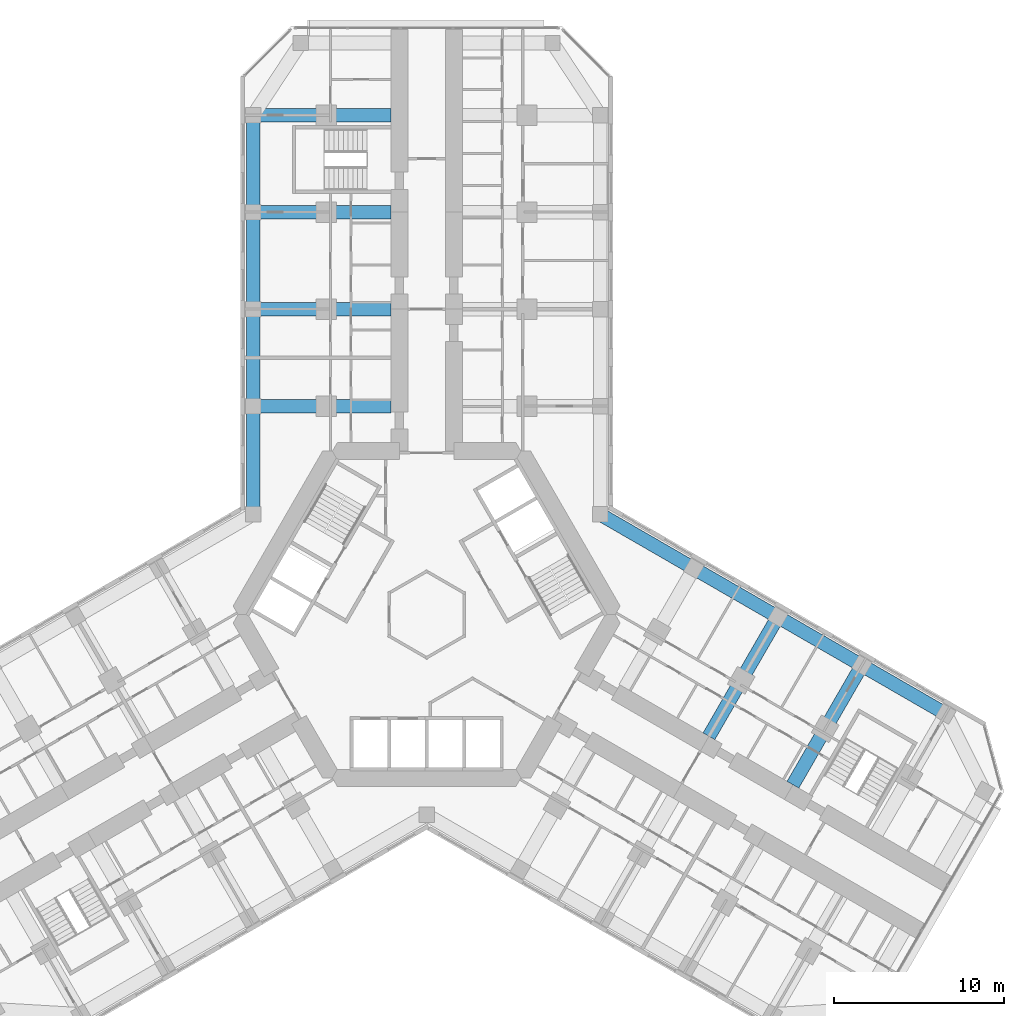
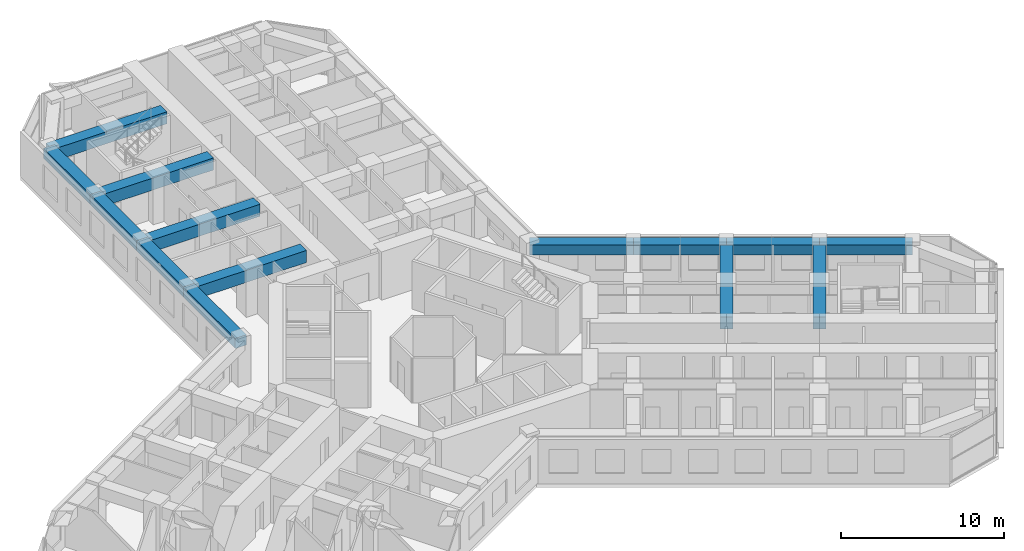
# One storey, part 6 of 21: 14 beams.
"""IFC4 building model written with IfcOpenShell, lengths in metres."""

import ifcopenshell
import ifcopenshell.guid

model = None  # the IFC model being written
_history = None  # IfcOwnerHistory: only IFC2X3 demands one
_inside = {}  # id of a spatial element -> (the spatial element, [elements in it])
_under = {}  # id of a project, library or spatial element -> (it, [spatial elements below it])
_declared = {}  # id of a project -> (the project, [libraries it declares])
_typed = {}  # id of a type object -> (the type object, [elements of that type])
_made_of = {}  # id of a material, layer set ... -> (it, [elements and type objects made of it])


def new_model(schema):
    """Start an empty IFC model of exactly this schema.

    Asked for "IFC4X3", IfcOpenShell would pick the latest addendum, in which some entities
    have other attributes; the version numbers below select the first issue.
    IFC2X3 requires an IfcOwnerHistory on every rooted entity: one is made here for all.
    """
    global model, _history
    if schema == "IFC4X3":
        model = ifcopenshell.file(schema_version=(4, 3, 0, 0))
    else:
        model = ifcopenshell.file(schema=schema)
    _inside.clear()
    _under.clear()
    _declared.clear()
    _typed.clear()
    _made_of.clear()
    _history = None
    if model.schema == "IFC2X3":
        org = make("IfcOrganization", Name="unknown")
        user = make(
            "IfcPersonAndOrganization",
            ThePerson=make("IfcPerson", FamilyName="unknown"),
            TheOrganization=org,
        )
        app = make(
            "IfcApplication",
            ApplicationDeveloper=org,
            Version="unknown",
            ApplicationFullName="unknown",
            ApplicationIdentifier="unknown",
        )
        _history = make(
            "IfcOwnerHistory",
            OwningUser=user,
            OwningApplication=app,
            ChangeAction="ADDED",
            CreationDate=0,
        )
    return model


def make(cls, **values):
    """One entity of the class cls with the attributes given. An attribute that is None is left unset."""
    return model.create_entity(
        cls, **{name: value for name, value in values.items() if value is not None}
    )


def rooted(cls, **values):
    """An entity with a GlobalId (a new one), such as an element, a storey or a relation."""
    return make(cls, GlobalId=ifcopenshell.guid.new(), OwnerHistory=_history, **values)


def si_unit(unit_type, name, prefix=None):
    """IfcSIUnit, for example si_unit("LENGTHUNIT", "METRE", prefix="MILLI")."""
    return make("IfcSIUnit", UnitType=unit_type, Prefix=prefix, Name=name)


def assignment(units):
    """IfcUnitAssignment: the units of a project."""
    return None if units is None else make("IfcUnitAssignment", Units=units)


def point(xyz):
    """IfcCartesianPoint."""
    return None if xyz is None else make("IfcCartesianPoint", Coordinates=xyz)


def direction(xyz):
    """IfcDirection."""
    return None if xyz is None else make("IfcDirection", DirectionRatios=xyz)


def frame(location, z_axis=None, x_axis=None):
    """IfcAxis2Placement3D, a coordinate frame: its origin and axes. An axis left out is left unset."""
    return make(
        "IfcAxis2Placement3D",
        Location=point(location),
        Axis=direction(z_axis),
        RefDirection=direction(x_axis),
    )


def frame_2d(location, x_axis=None):
    """IfcAxis2Placement2D, a coordinate frame in the plane: its origin and x axis."""
    return make(
        "IfcAxis2Placement2D", Location=point(location), RefDirection=direction(x_axis)
    )


def origin():
    """The frame at (0, 0, 0) with its axes left unset."""
    return frame((0.0, 0.0, 0.0))


def origin_2d():
    """The frame at (0, 0) in the plane with its x axis left unset."""
    return frame_2d((0.0, 0.0))


def place(relative_to, where):
    """IfcLocalPlacement: puts the frame where relative to a parent placement (None: the world)."""
    return make(
        "IfcLocalPlacement", PlacementRelTo=relative_to, RelativePlacement=where
    )


def context(
    kind, dimensions, precision=None, world=None, true_north=None, identifier=None
):
    """IfcGeometricRepresentationContext, for example the 3D "Model" context."""
    return make(
        "IfcGeometricRepresentationContext",
        ContextIdentifier=identifier,
        ContextType=kind,
        CoordinateSpaceDimension=dimensions,
        Precision=precision,
        WorldCoordinateSystem=world,
        TrueNorth=true_north,
    )


def subcontext(parent, identifier, kind, view, scale=None):
    """IfcGeometricRepresentationSubContext, for example "Body" below "Model"."""
    return make(
        "IfcGeometricRepresentationSubContext",
        ContextIdentifier=identifier,
        ContextType=kind,
        ParentContext=parent,
        TargetScale=scale,
        TargetView=view,
    )


def project(units=None, contexts=None):
    """IfcProject with its units and contexts."""
    return rooted(
        "IfcProject",
        Name="project",
        RepresentationContexts=contexts,
        UnitsInContext=assignment(units),
    )


def spatial(cls, under=None, at=None, **own):
    """A site, building, storey or space (cls), placed at a placement, below another one or the project."""
    s = rooted(cls, ObjectPlacement=at, **own)
    if under is not None:
        _under.setdefault(under.id(), (under, []))[1].append(s)
    return s


def profile(cls, at=None, kind="AREA", **sizes):
    """A parametric profile (cls). Its sizes go by their IFC names, for example OverallWidth=200.0."""
    return make(cls, ProfileType=kind, Position=at, **sizes)


def rectangle(**sizes):
    """IfcRectangleProfileDef."""
    return profile("IfcRectangleProfileDef", **sizes)


def extrude(swept, where, along, depth):
    """IfcExtrudedAreaSolid: the profile swept, set in the frame where, extruded along a direction by depth."""
    return make(
        "IfcExtrudedAreaSolid",
        SweptArea=swept,
        Position=where,
        ExtrudedDirection=direction(along),
        Depth=depth,
    )


def shape(context_of_items, identifier, shape_type, items):
    """IfcShapeRepresentation: the items that make up one representation, for example the "Body"."""
    return make(
        "IfcShapeRepresentation",
        ContextOfItems=context_of_items,
        RepresentationIdentifier=identifier,
        RepresentationType=shape_type,
        Items=items,
    )


def material(Name=None, Category=None):
    """IfcMaterial."""
    return make("IfcMaterial", Name=Name, Category=Category)


def material_profile(
    of_material, cross_section, Name=None, Category=None, Priority=None
):
    """IfcMaterialProfile: a cross section and its material."""
    return make(
        "IfcMaterialProfile",
        Name=Name,
        Material=of_material,
        Profile=cross_section,
        Priority=Priority,
        Category=Category,
    )


def profile_set(profiles, Name=None, composite=None):
    """IfcMaterialProfileSet."""
    return make(
        "IfcMaterialProfileSet",
        Name=Name,
        MaterialProfiles=profiles,
        CompositeProfile=composite,
    )


def made_of(thing, what):
    """Note that an element or type object is made of a material, layer set ...; save() writes the relation."""
    if what is not None:
        _made_of.setdefault(what.id(), (what, []))[1].append(thing)
    return thing


def type_object(cls, material=None, **own):
    """A type object (cls), such as IfcWallType, which elements share."""
    return made_of(rooted(cls, **own), material)


def element(
    cls,
    number,
    at=None,
    inside=None,
    cuts=None,
    type_object=None,
    material=None,
    context=None,
    identifier="Body",
    shape_type=None,
    held_by="IfcProductDefinitionShape",
    body=None,
    shapes=None,
    **own,
):
    """One element of the class cls, such as IfcWall. Its Tag is "e" and its number.

    at: its placement. inside: the storey or other place that contains it. cuts: it is an
    opening in that element (IfcRelVoidsElement). A single representation is given by context,
    identifier, shape_type and body (its items); several are given by shapes. held_by: the class
    of the entity that holds the representations. save() writes the other relations.
    """
    e = rooted(cls, Tag="e%d" % number, ObjectPlacement=at, **own)
    if body is not None:
        shapes = [shape(context, identifier, shape_type, body)]
    if shapes is not None:
        e.Representation = make(held_by, Representations=shapes)
    if inside is not None:
        _inside.setdefault(inside.id(), (inside, []))[1].append(e)
    if cuts is not None:
        rooted(
            "IfcRelVoidsElement", RelatingBuildingElement=cuts, RelatedOpeningElement=e
        )
    if type_object is not None:
        _typed.setdefault(type_object.id(), (type_object, []))[1].append(e)
    return made_of(e, material)


def aggregate(whole, parts):
    """IfcRelAggregates: a whole, such as a stair, and the parts it consists of."""
    return rooted("IfcRelAggregates", RelatingObject=whole, RelatedObjects=parts)


def save(model, path):
    """Write the relations noted so far, then the file.

    IfcRelAggregates (storeys below a building ...), IfcRelContainedInSpatialStructure (elements
    in a storey), IfcRelDefinesByType, IfcRelAssociatesMaterial and IfcRelDeclares: one each for
    every whole, place, type object, material and project.
    """
    for whole, parts in _under.values():
        aggregate(whole, parts)
    for where, things in _inside.values():
        rooted(
            "IfcRelContainedInSpatialStructure",
            RelatedElements=things,
            RelatingStructure=where,
        )
    for kind, things in _typed.values():
        rooted("IfcRelDefinesByType", RelatedObjects=things, RelatingType=kind)
    for what, things in _made_of.values():
        rooted("IfcRelAssociatesMaterial", RelatedObjects=things, RelatingMaterial=what)
    for by, libraries in _declared.values():
        rooted("IfcRelDeclares", RelatingContext=by, RelatedDefinitions=libraries)
    model.write(path)


model = new_model("IFC4")

# Units and contexts
model_context = context("Model", 3, precision=1e-05, world=origin(), true_north=direction((0.0, 1.0)))
body_context = subcontext(model_context, "Body", "Model", "MODEL_VIEW")
ifc_project = project(units=[si_unit("LENGTHUNIT", "METRE"), si_unit("AREAUNIT", "SQUARE_METRE"), si_unit("VOLUMEUNIT", "CUBIC_METRE"), si_unit("PLANEANGLEUNIT", "RADIAN"), si_unit("MASSUNIT", "GRAM", prefix="KILO")], contexts=[model_context])

# Site, building, storey
site_placement = place(None, origin())
site = spatial("IfcSite", under=ifc_project, at=site_placement, CompositionType="ELEMENT")
building_placement = place(site_placement, origin())
building = spatial("IfcBuilding", under=site, at=building_placement, Name="Kosmar Iwan School Tower", CompositionType="ELEMENT")
storey_placement = place(building_placement, frame((0.0, 0.0, 98.800048828125)))
storey = spatial("IfcBuildingStorey", under=building, at=storey_placement, Name="L24", CompositionType="ELEMENT", Elevation=98.800048828125)

# Beams
ifc_material_1 = material(Name="Concrete C50/60", Category="concrete")
ifc_material_profile_1 = material_profile(ifc_material_1, rectangle(XDim=0.800048828125, YDim=0.75, at=origin_2d()), Name="RC 800x750")
ifc_profile_set_1 = profile_set([ifc_material_profile_1], Name="Concrete C50/60")
beam_type_1 = type_object("IfcBeamType", Name="RC edge beam 800x750", PredefinedType="BEAM", material=ifc_profile_set_1)
beam_1_placement = place(storey_placement, frame((-10.199951171875, 5.888916015625, 2.974853515625), z_axis=(0.0, 1.0, 0.0), x_axis=(-1.0, 0.0, 0.0)))
element("IfcBeam", 1, at=beam_1_placement, inside=storey, type_object=beam_type_1, Name="Edge beam AL1", PredefinedType="BEAM", context=body_context, shape_type="SweptSolid", body=[
    extrude(rectangle(XDim=0.800048828125, YDim=0.75, at=origin_2d()), origin(), (0.0, 0.0, 1.0), 6.361083984375),
])
for number, where, z_axis, x_axis, name in (
    (2, (-10.199951171875, 12.25, 2.974853515625), (0.0, 1.0, 0.0), (-1.0, 0.0, 0.0), "Edge beam AL2"),
    (3, (-10.199951171875, 17.949951171875, 2.974853515625), (0.0, 1.0, 0.0), (-1.0, 0.0, 0.0), "Edge beam AL3"),
):
    element("IfcBeam", number, at=place(storey_placement, frame(where, z_axis=z_axis, x_axis=x_axis)), inside=storey, type_object=beam_type_1, Name=name, PredefinedType="BEAM", context=body_context, shape_type="SweptSolid", body=[
        extrude(rectangle(XDim=0.800048828125, YDim=0.75, at=origin_2d()), origin(), (0.0, 0.0, 1.0), 5.699951171875),
    ])
beam_2_placement = place(storey_placement, frame((-10.199951171875, 23.64990234375, 2.974853515625), z_axis=(0.0, 1.0, 0.0), x_axis=(-1.0, 0.0, 0.0)))
element("IfcBeam", 4, at=beam_2_placement, inside=storey, type_object=beam_type_1, Name="Edge beam AL4", PredefinedType="BEAM", context=body_context, shape_type="SweptSolid", body=[
    extrude(rectangle(XDim=0.800048828125, YDim=0.75, at=origin_2d()), origin(), (0.0, 0.0, 1.0), 5.7001953125),
])
beam_3_placement = place(storey_placement, frame((10.199951171875, 5.888916015625, 2.974853515625), z_axis=(0.866030912664, -0.49999045822, 0.0), x_axis=(0.49999045822, 0.866030912664, 0.0)))
element("IfcBeam", 5, at=beam_3_placement, inside=storey, type_object=beam_type_1, Name="Edge beam CL1", PredefinedType="BEAM", context=body_context, shape_type="SweptSolid", body=[
    extrude(rectangle(XDim=0.800048828125, YDim=0.75, at=origin_2d()), origin(), (0.0, 0.0, 1.0), 6.36083984375),
])
beam_4_placement = place(storey_placement, frame((15.708740234375, 2.70849609375, 2.974853515625), z_axis=(0.866025820012, -0.499999279071, 0.0), x_axis=(0.499999279071, 0.866025820012, 0.0)))
element("IfcBeam", 6, at=beam_4_placement, inside=storey, type_object=beam_type_1, Name="Edge beam CL2", PredefinedType="BEAM", context=body_context, shape_type="SweptSolid", body=[
    extrude(rectangle(XDim=0.800048828125, YDim=0.75, at=origin_2d()), origin(), (0.0, 0.0, 1.0), 5.7001953125),
])
for number, where, z_axis, x_axis, name in (
    (7, (20.645263671875, -0.1416015625, 2.974853515625), (0.866033658841, -0.49998570155, 0.0), (0.49998570155, 0.866033658841, 0.0), "Edge beam CL3"),
    (8, (25.58154296875, -2.991455078125, 2.974853515625), (0.866015111908, -0.50001782563, 0.0), (0.50001782563, 0.866015111908, 0.0), "Edge beam CL4"),
):
    element("IfcBeam", number, at=place(storey_placement, frame(where, z_axis=z_axis, x_axis=x_axis)), inside=storey, type_object=beam_type_1, Name=name, PredefinedType="BEAM", context=body_context, shape_type="SweptSolid", body=[
        extrude(rectangle(XDim=0.800048828125, YDim=0.75, at=origin_2d()), origin(), (0.0, 0.0, 1.0), 5.699951171875),
    ])
ifc_material_2 = material(Name="Concrete C50/60", Category="concrete")
ifc_material_profile_2 = material_profile(ifc_material_2, rectangle(XDim=0.800048828125, YDim=0.89990234375, at=origin_2d()), Name="RC 800x900")
ifc_profile_set_2 = profile_set([ifc_material_profile_2], Name="Concrete C50/60")
beam_type_2 = type_object("IfcBeamType", Name="RC transverse beam 800x900", PredefinedType="BEAM", material=ifc_profile_set_2)
for number, where, z_axis, x_axis, name in (
    (9, (-10.199951171875, 12.25, 2.89990234375), (1.0, 0.0, 0.0), (0.0, 1.0, 0.0), "Transverse beam AL1"),
    (10, (-10.199951171875, 17.949951171875, 2.89990234375), (1.0, 0.0, 0.0), (0.0, 1.0, 0.0), "Transverse beam AL2"),
    (11, (-10.199951171875, 23.64990234375, 2.89990234375), (1.0, 0.0, 0.0), (0.0, 1.0, 0.0), "Transverse beam AL3"),
    (12, (-10.199951171875, 29.35009765625, 2.89990234375), (1.0, 0.0, 0.0), (0.0, 1.0, 0.0), "Transverse beam AL4"),
    (13, (20.645263671875, -0.1416015625, 2.89990234375), (-0.500012932018, -0.866017937352, 0.0), (0.866017937352, -0.500012932018, 0.0), "Transverse beam CL2"),
):
    element("IfcBeam", number, at=place(storey_placement, frame(where, z_axis=z_axis, x_axis=x_axis)), inside=storey, type_object=beam_type_2, Name=name, PredefinedType="BEAM", context=body_context, shape_type="SweptSolid", body=[
        extrude(rectangle(XDim=0.800048828125, YDim=0.89990234375, at=origin_2d()), origin(), (0.0, 0.0, 1.0), 8.099853515625),
    ])
beam_5_placement = place(storey_placement, frame((25.58154296875, -2.991455078125, 2.89990234375), z_axis=(-0.499999880539, -0.866025472755, 0.0), x_axis=(0.866025472755, -0.499999880539, 0.0)))
element("IfcBeam", 14, at=beam_5_placement, inside=storey, type_object=beam_type_2, Name="Transverse beam CL3", PredefinedType="BEAM", context=body_context, shape_type="SweptSolid", body=[
    extrude(rectangle(XDim=0.800048828125, YDim=0.89990234375, at=origin_2d()), origin(), (0.0, 0.0, 1.0), 8.10009765625),
])

save(model, "model.ifc")
